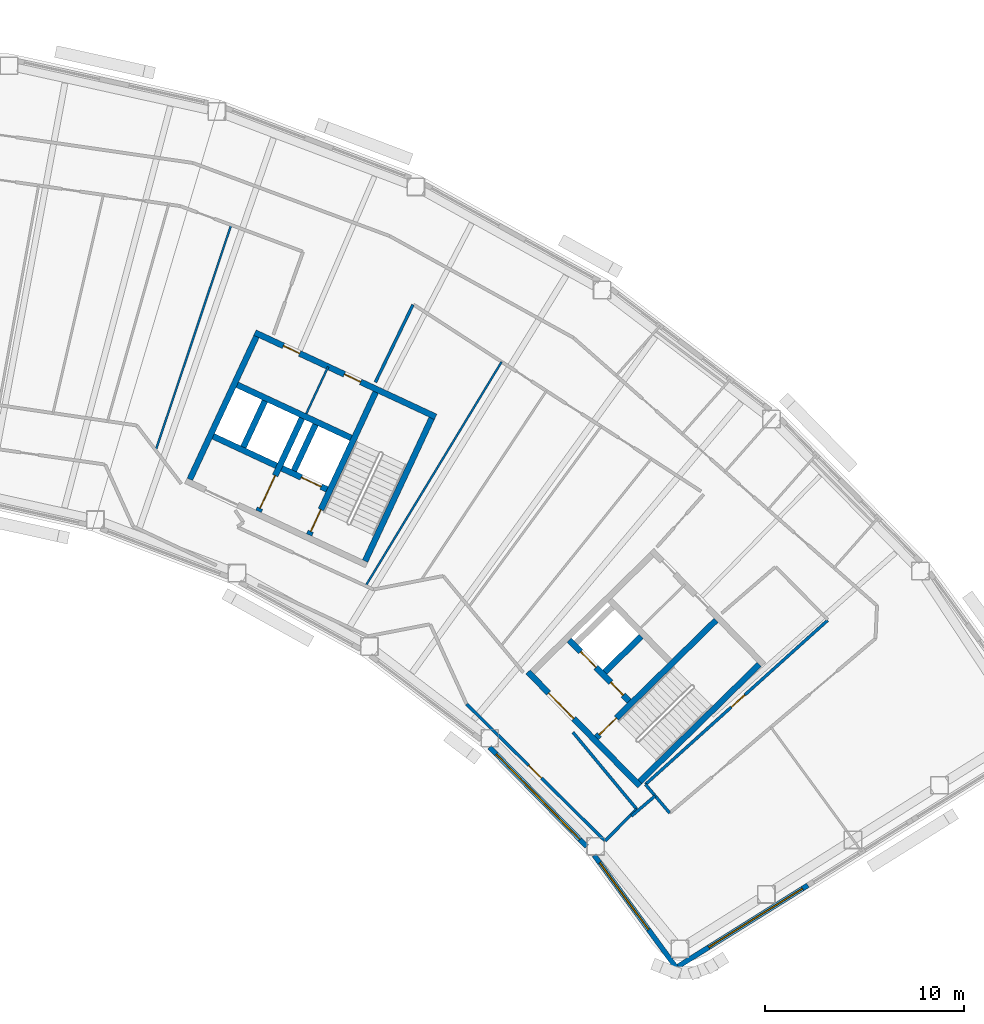
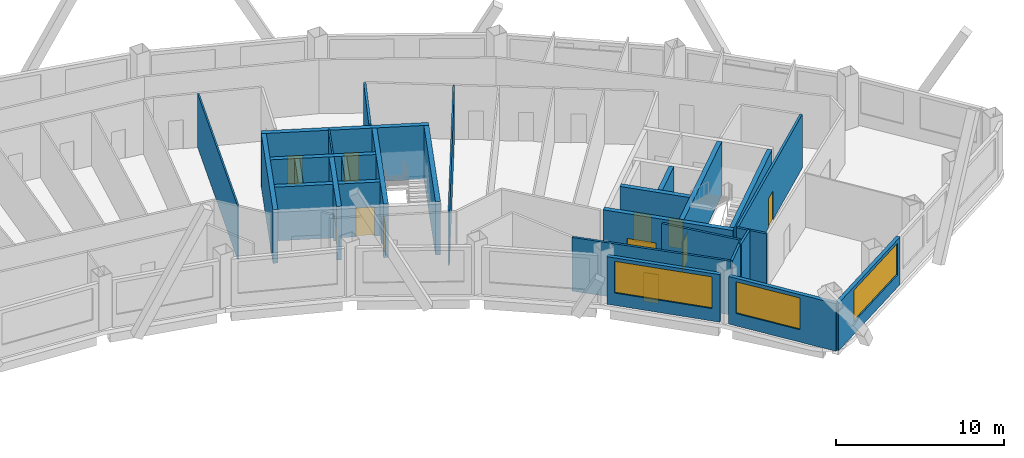
# One storey, part 9 of 15: 28 walls, 11 doors, 3 windows, 14 openings.
"""IFC4 building model written with IfcOpenShell, lengths in metres."""

from ifc_helpers import new_model, si_unit, direction, frame, frame_2d, origin, place, context, subcontext, project, spatial, rectangle, extrude, material, layer, layer_set, type_object, element, fill, save


model = new_model("IFC4")

# Units and contexts
model_context = context("Model", 3, precision=1e-05, world=origin(), true_north=direction((0.0, 1.0)))
body_context = subcontext(model_context, "Body", "Model", "MODEL_VIEW")
ifc_project = project(units=[si_unit("LENGTHUNIT", "METRE"), si_unit("AREAUNIT", "SQUARE_METRE"), si_unit("VOLUMEUNIT", "CUBIC_METRE"), si_unit("PLANEANGLEUNIT", "RADIAN"), si_unit("MASSUNIT", "GRAM", prefix="KILO")], contexts=[model_context])

# Site, building, storey
site_placement = place(None, origin())
site = spatial("IfcSite", under=ifc_project, at=site_placement, CompositionType="ELEMENT")
building_placement = place(site_placement, origin())
building = spatial("IfcBuilding", under=site, at=building_placement, Name="Tuul Gate Civic Tower", CompositionType="ELEMENT")
storey_placement = place(building_placement, frame((0.0, 0.0, 226.300048828125)))
storey = spatial("IfcBuildingStorey", under=building, at=storey_placement, Name="Level 51", CompositionType="ELEMENT", Elevation=226.300048828125)

# Wall, opening, door
ifc_material_1 = material(Name="Concrete C50/60", Category="concrete")
ifc_layer_1 = layer(ifc_material_1, 0.300048828125)
ifc_layer_set_1 = layer_set([ifc_layer_1], Name="Concrete C50/60")
wall_type_1 = type_object("IfcWallType", Name="Core wall C50/60", PredefinedType="SHEAR", material=ifc_layer_set_1)
wall_1_placement = place(storey_placement, frame((48.22509765625, -18.327880859375, 0.0), z_axis=(0.0, 0.0, 1.0), x_axis=(-0.700021979774, 0.714121297703, 0.0)))
wall_1 = element("IfcWall", 1, at=wall_1_placement, inside=storey, type_object=wall_type_1, Name="Core wall", PredefinedType="SHEAR", context=body_context, shape_type="SweptSolid", body=[
    extrude(rectangle(XDim=8.0, YDim=0.300048828125, at=frame_2d((4.0, 0.0))), origin(), (0.0, 0.0, 1.0), 3.89990234375),
])
opening_1_placement = place(wall_1_placement, frame((4.72509765625, 0.0, 0.0)))
opening_1 = element("IfcOpeningElement", 2, at=opening_1_placement, cuts=wall_1, Name="Opening LB-E1-LOBBY-1", PredefinedType="OPENING", context=body_context, shape_type="SweptSolid", body=[
    extrude(rectangle(XDim=1.800048828125, YDim=2.10009765625, at=frame_2d((0.89990234375, 1.050048828125))), frame((0.0, 0.16015625, 0.0), z_axis=(0.0, -1.0, 0.0), x_axis=(1.0, 0.0, 0.0)), (0.0, 0.0, 1.0), 0.320068359375),
])
ifc_material_2 = material(Name="Steel", Category="steel")
door_type_1 = type_object("IfcDoorType", Name="Lobby door", OperationType="DOUBLE_DOOR_SINGLE_SWING", PredefinedType="DOOR", material=ifc_material_2)
door_1_placement = place(opening_1_placement, frame((1.800048828125, 0.0, 0.0), z_axis=(0.0, 0.0, 1.0), x_axis=(-1.0, 0.0, 0.0)))
door_1 = element("IfcDoor", 3, at=door_1_placement, inside=storey, type_object=door_type_1, Name="Lobby door E1-LOBBY", OperationType="DOUBLE_DOOR_SINGLE_SWING", OverallHeight=2.10009765625, OverallWidth=1.800048828125, PredefinedType="DOOR", context=body_context, shape_type="SweptSolid", body=[
    extrude(rectangle(XDim=1.800048828125, YDim=2.10009765625, at=frame_2d((0.900146484375, 1.050048828125))), frame((0.0, 0.02490234375, 0.0), z_axis=(0.0, -1.0, 0.0), x_axis=(1.0, 0.0, 0.0)), (0.0, 0.0, 1.0), 0.050048828125),
])
fill(opening_1, door_1)

# Wall, openings, doors
wall_2_placement = place(storey_placement, frame((47.701904296875, -14.079833984375, 0.0), z_axis=(0.0, 0.0, 1.0), x_axis=(-0.700002721075, 0.714140175657, 0.0)))
wall_2 = element("IfcWall", 4, at=wall_2_placement, inside=storey, type_object=wall_type_1, Name="Core wall", PredefinedType="SHEAR", context=body_context, shape_type="SweptSolid", body=[
    extrude(rectangle(XDim=4.300048828125, YDim=0.300048828125, at=frame_2d((2.14990234375, 0.0))), origin(), (0.0, 0.0, 1.0), 3.89990234375),
])
opening_2_placement = place(wall_2_placement, frame((0.425048828125, 0.0, 0.0)))
opening_2 = element("IfcOpeningElement", 5, at=opening_2_placement, cuts=wall_2, Name="Opening FB-E1A1", PredefinedType="OPENING", context=body_context, shape_type="SweptSolid", body=[
    extrude(rectangle(XDim=0.89990234375, YDim=2.10009765625, at=frame_2d((0.449951171875, 1.050048828125))), frame((0.0, 0.16015625, 0.0), z_axis=(0.0, -1.0, 0.0), x_axis=(1.0, 0.0, 0.0)), (0.0, 0.0, 1.0), 0.320068359375),
])
opening_3_placement = place(wall_2_placement, frame((2.375, 0.0, 0.0)))
opening_3 = element("IfcOpeningElement", 6, at=opening_3_placement, cuts=wall_2, Name="Opening LD-M3", PredefinedType="OPENING", context=body_context, shape_type="SweptSolid", body=[
    extrude(rectangle(XDim=1.10009765625, YDim=2.10009765625, at=frame_2d((0.550048828125, 1.050048828125))), frame((0.0, 0.16015625, 0.0), z_axis=(0.0, -1.0, 0.0), x_axis=(1.0, 0.0, 0.0)), (0.0, 0.0, 1.0), 0.320068359375),
])
ifc_material_3 = material(Name="Stainless steel", Category="steel")
door_type_2 = type_object("IfcDoorType", Name="Landing door", OperationType="DOUBLE_DOOR_SLIDING", PredefinedType="DOOR", material=ifc_material_3)
door_2_placement = place(opening_3_placement, origin())
door_2 = element("IfcDoor", 7, at=door_2_placement, inside=storey, type_object=door_type_2, Name="Mid-rise lift M3 landing door", OperationType="DOUBLE_DOOR_SLIDING", OverallHeight=2.10009765625, OverallWidth=1.10009765625, PredefinedType="DOOR", context=body_context, shape_type="SweptSolid", body=[
    extrude(rectangle(XDim=1.10009765625, YDim=2.10009765625, at=frame_2d((0.550048828125, 1.050048828125))), frame((0.0, 0.02490234375, 0.0), z_axis=(0.0, -1.0, 0.0), x_axis=(1.0, 0.0, 0.0)), (0.0, 0.0, 1.0), 0.050048828125),
])
fill(opening_3, door_2)
ifc_material_4 = material(Name="Steel", Category="steel")
door_type_3 = type_object("IfcDoorType", Name="Store door", OperationType="NOTDEFINED", PredefinedType="DOOR", material=ifc_material_4)
door_3_placement = place(opening_2_placement, frame((0.89990234375, 0.0, 0.0), z_axis=(0.0, 0.0, 1.0), x_axis=(-1.0, 0.0, 0.0)))
door_3 = element("IfcDoor", 8, at=door_3_placement, inside=storey, type_object=door_type_3, Name="Store door E1A1", OperationType="SINGLE_SWING_RIGHT", OverallHeight=2.10009765625, OverallWidth=0.89990234375, PredefinedType="DOOR", context=body_context, shape_type="SweptSolid", body=[
    extrude(rectangle(XDim=0.89990234375, YDim=2.10009765625, at=frame_2d((0.449951171875, 1.050048828125))), frame((0.0, 0.02490234375, 0.0), z_axis=(0.0, -1.0, 0.0), x_axis=(1.0, 0.0, 0.0)), (0.0, 0.0, 1.0), 0.050048828125),
])
fill(opening_2, door_3)

# Wall
wall_3_placement = place(storey_placement, frame((48.227294921875, -18.115966796875, 0.0), z_axis=(0.0, 0.0, 1.0), x_axis=(0.714105315431, 0.700038283577, 0.0)))
element("IfcWall", 9, at=wall_3_placement, inside=storey, type_object=wall_type_1, Name="Core wall", PredefinedType="SHEAR", context=body_context, shape_type="SweptSolid", body=[
    extrude(rectangle(XDim=8.400146484375, YDim=0.300048828125, at=frame_2d((4.2001953125, 0.0))), origin(), (0.0, 0.0, 1.0), 3.89990234375),
])

# Wall, opening, door
wall_4_placement = place(storey_placement, frame((46.05712890625, -15.902099609375, 0.0), z_axis=(0.0, 0.0, 1.0), x_axis=(0.714134086973, 0.700008932674, 0.0)))
wall_4 = element("IfcWall", 10, at=wall_4_placement, inside=storey, type_object=wall_type_1, Name="Core wall", PredefinedType="SHEAR", context=body_context, shape_type="SweptSolid", body=[
    extrude(rectangle(XDim=8.400146484375, YDim=0.300048828125, at=frame_2d((4.2001953125, 0.0))), origin(), (0.0, 0.0, 1.0), 3.89990234375),
])
opening_4_placement = place(wall_4_placement, frame((0.199951171875, 0.0, 0.0)))
opening_4 = element("IfcOpeningElement", 11, at=opening_4_placement, cuts=wall_4, Name="Opening SD-ST-3", PredefinedType="OPENING", context=body_context, shape_type="SweptSolid", body=[
    extrude(rectangle(XDim=1.199951171875, YDim=2.10009765625, at=frame_2d((0.60009765625, 1.050048828125))), frame((0.0, 0.16015625, 0.0), z_axis=(0.0, -1.0, 0.0), x_axis=(1.0, 0.0, 0.0)), (0.0, 0.0, 1.0), 0.320068359375),
])
ifc_material_5 = material(Name="Steel", Category="steel")
door_type_4 = type_object("IfcDoorType", Name="Stair door", OperationType="NOTDEFINED", PredefinedType="DOOR", material=ifc_material_5)
door_4_placement = place(opening_4_placement, origin())
door_4 = element("IfcDoor", 12, at=door_4_placement, inside=storey, type_object=door_type_4, Name="Stair door ST-3", OperationType="SINGLE_SWING_LEFT", OverallHeight=2.10009765625, OverallWidth=1.199951171875, PredefinedType="DOOR", context=body_context, shape_type="SweptSolid", body=[
    extrude(rectangle(XDim=1.199951171875, YDim=2.10009765625, at=frame_2d((0.60009765625, 1.050048828125))), frame((0.0, 0.02490234375, 0.0), z_axis=(0.0, -1.0, 0.0), x_axis=(1.0, 0.0, 0.0)), (0.0, 0.0, 1.0), 0.050048828125),
])
fill(opening_4, door_4)

# Wall
wall_5_placement = place(storey_placement, frame((46.47900390625, -12.617919921875, 0.0), z_axis=(0.0, 0.0, 1.0), x_axis=(0.71410944159, 0.700034074479, 0.0)))
element("IfcWall", 13, at=wall_5_placement, inside=storey, type_object=wall_type_1, Name="Core wall", PredefinedType="SHEAR", context=body_context, shape_type="SweptSolid", body=[
    extrude(rectangle(XDim=2.5498046875, YDim=0.300048828125, at=frame_2d((1.27490234375, 0.0))), origin(), (0.0, 0.0, 1.0), 3.89990234375),
])

# Wall, opening, door
wall_6_placement = place(storey_placement, frame((32.545654296875, -3.456787109375, 0.0), z_axis=(0.0, 0.0, 1.0), x_axis=(-0.906300357825, 0.42263419337, 0.0)))
wall_6 = element("IfcWall", 14, at=wall_6_placement, inside=storey, type_object=wall_type_1, Name="Core wall", PredefinedType="SHEAR", context=body_context, shape_type="SweptSolid", body=[
    extrude(rectangle(XDim=2.500244140625, YDim=0.300048828125, at=frame_2d((1.25, 0.0))), origin(), (0.0, 0.0, 1.0), 3.89990234375),
])
opening_5_placement = place(wall_6_placement, frame((0.324951171875, 0.0, 0.0)))
opening_5 = element("IfcOpeningElement", 15, at=opening_5_placement, cuts=wall_6, Name="Opening LD-FF-2", PredefinedType="OPENING", context=body_context, shape_type="SweptSolid", body=[
    extrude(rectangle(XDim=1.10009765625, YDim=2.10009765625, at=frame_2d((0.550048828125, 1.050048828125))), frame((0.0, 0.16015625, 0.0), z_axis=(0.0, -1.0, 0.0), x_axis=(1.0, 0.0, 0.0)), (0.0, 0.0, 1.0), 0.320068359375),
])
door_5_placement = place(opening_5_placement, origin())
door_5 = element("IfcDoor", 16, at=door_5_placement, inside=storey, type_object=door_type_2, Name="Fire-fighting lift FF-2 landing door", OperationType="DOUBLE_DOOR_SLIDING", OverallHeight=2.10009765625, OverallWidth=1.10009765625, PredefinedType="DOOR", context=body_context, shape_type="SweptSolid", body=[
    extrude(rectangle(XDim=1.10009765625, YDim=2.10009765625, at=frame_2d((0.550048828125, 1.050048828125))), frame((0.0, 0.02490234375, 0.0), z_axis=(0.0, -1.0, 0.0), x_axis=(1.0, 0.0, 0.0)), (0.0, 0.0, 1.0), 0.050048828125),
])
fill(opening_5, door_5)

# Walls
wall_7_placement = place(storey_placement, frame((30.0078125, -2.2734375, 0.0), z_axis=(0.0, 0.0, 1.0), x_axis=(-0.90630071767, 0.422633421716, 0.0)))
element("IfcWall", 17, at=wall_7_placement, inside=storey, type_object=wall_type_1, Name="Core wall", PredefinedType="SHEAR", context=body_context, shape_type="SweptSolid", body=[
    extrude(rectangle(XDim=3.5, YDim=0.300048828125, at=frame_2d((1.75, 0.0))), origin(), (0.0, 0.0, 1.0), 3.89990234375),
])
wall_8_placement = place(storey_placement, frame((33.75, -0.873779296875, 0.0), z_axis=(0.0, 0.0, 1.0), x_axis=(-0.906300917592, 0.422632992999, 0.0)))
element("IfcWall", 18, at=wall_8_placement, inside=storey, type_object=wall_type_1, Name="Core wall", PredefinedType="SHEAR", context=body_context, shape_type="SweptSolid", body=[
    extrude(rectangle(XDim=6.300048828125, YDim=0.300048828125, at=frame_2d((3.14990234375, 0.0))), origin(), (0.0, 0.0, 1.0), 3.89990234375),
])

# Wall, openings, doors
wall_9_placement = place(storey_placement, frame((37.993408203125, 0.181884765625, 0.0), z_axis=(0.0, 0.0, 1.0), x_axis=(-0.906310338845, 0.422612789327, 0.0)))
wall_9 = element("IfcWall", 19, at=wall_9_placement, inside=storey, type_object=wall_type_1, Name="Core wall", PredefinedType="SHEAR", context=body_context, shape_type="SweptSolid", body=[
    extrude(rectangle(XDim=9.999755859375, YDim=0.300048828125, at=frame_2d((5.0, 0.0))), origin(), (0.0, 0.0, 1.0), 3.89990234375),
])
opening_6_placement = place(wall_9_placement, frame((4.14990234375, 0.0, 0.0)))
opening_6 = element("IfcOpeningElement", 20, at=opening_6_placement, cuts=wall_9, Name="Opening R-D47", PredefinedType="OPENING", context=body_context, shape_type="SweptSolid", body=[
    extrude(rectangle(XDim=0.89990234375, YDim=2.10009765625, at=frame_2d((0.449951171875, 1.050048828125))), frame((0.0, 0.16015625, 0.0), z_axis=(0.0, -1.0, 0.0), x_axis=(1.0, 0.0, 0.0)), (0.0, 0.0, 1.0), 0.320068359375),
])
opening_7_placement = place(wall_9_placement, frame((7.52490234375, 0.0, 0.0)))
opening_7 = element("IfcOpeningElement", 21, at=opening_7_placement, cuts=wall_9, Name="Opening R-D48", PredefinedType="OPENING", context=body_context, shape_type="SweptSolid", body=[
    extrude(rectangle(XDim=0.89990234375, YDim=2.10009765625, at=frame_2d((0.449951171875, 1.050048828125))), frame((0.0, 0.16015625, 0.0), z_axis=(0.0, -1.0, 0.0), x_axis=(1.0, 0.0, 0.0)), (0.0, 0.0, 1.0), 0.320068359375),
])
ifc_material_6 = material(Name="Timber door leaf", Category="wood")
door_type_5 = type_object("IfcDoorType", Name="Door D09", OperationType="NOTDEFINED", PredefinedType="DOOR", material=ifc_material_6)
door_6_placement = place(opening_6_placement, origin())
door_6 = element("IfcDoor", 22, at=door_6_placement, inside=storey, type_object=door_type_5, Name="Door R-D47", OperationType="SINGLE_SWING_LEFT", OverallHeight=2.10009765625, OverallWidth=0.89990234375, PredefinedType="DOOR", context=body_context, shape_type="SweptSolid", body=[
    extrude(rectangle(XDim=0.89990234375, YDim=2.10009765625, at=frame_2d((0.449951171875, 1.050048828125))), frame((0.0, 0.02490234375, 0.0), z_axis=(0.0, -1.0, 0.0), x_axis=(1.0, 0.0, 0.0)), (0.0, 0.0, 1.0), 0.050048828125),
])
fill(opening_6, door_6)
door_7_placement = place(opening_7_placement, origin())
door_7 = element("IfcDoor", 23, at=door_7_placement, inside=storey, type_object=door_type_5, Name="Door R-D48", OperationType="SINGLE_SWING_RIGHT", OverallHeight=2.10009765625, OverallWidth=0.89990234375, PredefinedType="DOOR", context=body_context, shape_type="SweptSolid", body=[
    extrude(rectangle(XDim=0.89990234375, YDim=2.10009765625, at=frame_2d((0.449951171875, 1.050048828125))), frame((0.0, 0.02490234375, 0.0), z_axis=(0.0, -1.0, 0.0), x_axis=(1.0, 0.0, 0.0)), (0.0, 0.0, 1.0), 0.050048828125),
])
fill(opening_7, door_7)

# Wall
wall_10_placement = place(storey_placement, frame((34.455810546875, -7.05078125, 0.0), z_axis=(0.0, 0.0, 1.0), x_axis=(0.422570768258, 0.906329932096, 0.0)))
element("IfcWall", 24, at=wall_10_placement, inside=storey, type_object=wall_type_1, Name="Core wall", PredefinedType="SHEAR", context=body_context, shape_type="SweptSolid", body=[
    extrude(rectangle(XDim=7.900146484375, YDim=0.300048828125, at=frame_2d((3.9501953125, 0.0))), origin(), (0.0, 0.0, 1.0), 3.89990234375),
])

# Wall, opening, door
wall_11_placement = place(storey_placement, frame((31.646240234375, -5.740478515625, 0.0), z_axis=(0.0, 0.0, 1.0), x_axis=(0.422582604137, 0.906324413596, 0.0)))
wall_11 = element("IfcWall", 25, at=wall_11_placement, inside=storey, type_object=wall_type_1, Name="Core wall", PredefinedType="SHEAR", context=body_context, shape_type="SweptSolid", body=[
    extrude(rectangle(XDim=7.89990234375, YDim=0.300048828125, at=frame_2d((3.949951171875, 0.0))), origin(), (0.0, 0.0, 1.0), 3.89990234375),
])
opening_8_placement = place(wall_11_placement, frame((0.199951171875, 0.0, 0.0)))
opening_8 = element("IfcOpeningElement", 26, at=opening_8_placement, cuts=wall_11, Name="Opening SD-ST-4", PredefinedType="OPENING", context=body_context, shape_type="SweptSolid", body=[
    extrude(rectangle(XDim=1.199951171875, YDim=2.10009765625, at=frame_2d((0.60009765625, 1.050048828125))), frame((0.0, 0.16015625, 0.0), z_axis=(0.0, -1.0, 0.0), x_axis=(1.0, 0.0, 0.0)), (0.0, 0.0, 1.0), 0.320068359375),
])
door_8_placement = place(opening_8_placement, origin())
door_8 = element("IfcDoor", 27, at=door_8_placement, inside=storey, type_object=door_type_4, Name="Stair door ST-4", OperationType="SINGLE_SWING_LEFT", OverallHeight=2.10009765625, OverallWidth=1.199951171875, PredefinedType="DOOR", context=body_context, shape_type="SweptSolid", body=[
    extrude(rectangle(XDim=1.199951171875, YDim=2.10009765625, at=frame_2d((0.60009765625, 1.050048828125))), frame((0.0, 0.02490234375, 0.0), z_axis=(0.0, -1.0, 0.0), x_axis=(1.0, 0.0, 0.0)), (0.0, 0.0, 1.0), 0.050048828125),
])
fill(opening_8, door_8)

# Wall
wall_12_placement = place(storey_placement, frame((30.886962890625, -2.517822265625, 0.0), z_axis=(0.0, 0.0, 1.0), x_axis=(0.422612891016, 0.906310291427, 0.0)))
element("IfcWall", 28, at=wall_12_placement, inside=storey, type_object=wall_type_1, Name="Core wall", PredefinedType="SHEAR", context=body_context, shape_type="SweptSolid", body=[
    extrude(rectangle(XDim=2.550048828125, YDim=0.300048828125, at=frame_2d((1.27490234375, 0.0))), origin(), (0.0, 0.0, 1.0), 3.89990234375),
])

# Wall, opening, door
wall_13_placement = place(storey_placement, frame((29.108642578125, -4.557373046875, 0.0), z_axis=(0.0, 0.0, 1.0), x_axis=(0.422566235356, 0.90633204552, 0.0)))
wall_13 = element("IfcWall", 29, at=wall_13_placement, inside=storey, type_object=wall_type_1, Name="Core wall", PredefinedType="SHEAR", context=body_context, shape_type="SweptSolid", body=[
    extrude(rectangle(XDim=5.150146484375, YDim=0.300048828125, at=frame_2d((2.5751953125, 0.0))), origin(), (0.0, 0.0, 1.0), 3.89990234375),
])
opening_9_placement = place(wall_13_placement, frame((0.175048828125, 0.0, 0.0)))
opening_9 = element("IfcOpeningElement", 30, at=opening_9_placement, cuts=wall_13, Name="Opening LB-E3-FLOBBY-1", PredefinedType="OPENING", context=body_context, shape_type="SweptSolid", body=[
    extrude(rectangle(XDim=1.800048828125, YDim=2.10009765625, at=frame_2d((0.89990234375, 1.050048828125))), frame((0.0, 0.16015625, 0.0), z_axis=(0.0, -1.0, 0.0), x_axis=(1.0, 0.0, 0.0)), (0.0, 0.0, 1.0), 0.320068359375),
])
door_9_placement = place(opening_9_placement, frame((1.800048828125, 0.0, 0.0), z_axis=(0.0, 0.0, 1.0), x_axis=(-1.0, 0.0, 0.0)))
door_9 = element("IfcDoor", 31, at=door_9_placement, inside=storey, type_object=door_type_1, Name="Lobby door E3-FLOBBY", OperationType="DOUBLE_DOOR_SINGLE_SWING", OverallHeight=2.10009765625, OverallWidth=1.800048828125, PredefinedType="DOOR", context=body_context, shape_type="SweptSolid", body=[
    extrude(rectangle(XDim=1.800048828125, YDim=2.10009765625, at=frame_2d((0.900146484375, 1.050048828125))), frame((0.0, 0.02490234375, 0.0), z_axis=(0.0, -1.0, 0.0), x_axis=(1.0, 0.0, 0.0)), (0.0, 0.0, 1.0), 0.050048828125),
])
fill(opening_9, door_9)

# Walls
wall_14_placement = place(storey_placement, frame((28.349365234375, -1.33447265625, 0.0), z_axis=(0.0, 0.0, 1.0), x_axis=(0.422612891016, 0.906310291427, 0.0)))
element("IfcWall", 32, at=wall_14_placement, inside=storey, type_object=wall_type_1, Name="Core wall", PredefinedType="SHEAR", context=body_context, shape_type="SweptSolid", body=[
    extrude(rectangle(XDim=2.550048828125, YDim=0.300048828125, at=frame_2d((1.27490234375, 0.0))), origin(), (0.0, 0.0, 1.0), 3.89990234375),
])
wall_15_placement = place(storey_placement, frame((25.66455078125, -2.951416015625, 0.0), z_axis=(0.0, 0.0, 1.0), x_axis=(0.422582604137, 0.906324413596, 0.0)))
element("IfcWall", 33, at=wall_15_placement, inside=storey, type_object=wall_type_1, Name="Core wall", PredefinedType="SHEAR", context=body_context, shape_type="SweptSolid", body=[
    extrude(rectangle(XDim=7.89990234375, YDim=0.300048828125, at=frame_2d((3.949951171875, 0.0))), origin(), (0.0, 0.0, 1.0), 3.89990234375),
])

# Wall, opening, door
ifc_material_7 = material(Name="Gypsum board partition")
ifc_layer_2 = layer(ifc_material_7, 0.14990234375)
ifc_layer_set_2 = layer_set([ifc_layer_2], Name="Gypsum board partition")
wall_type_2 = type_object("IfcWallType", Name="Corridor wall P150", PredefinedType="PARTITIONING", material=ifc_layer_set_2)
wall_16_placement = place(storey_placement, frame((39.54248046875, -14.2216796875, 0.0), z_axis=(0.0, 0.0, 1.0), x_axis=(0.711267663184, -0.702921269638, 0.0)))
wall_16 = element("IfcWall", 34, at=wall_16_placement, inside=storey, type_object=wall_type_2, Name="p031", PredefinedType="PARTITIONING", context=body_context, shape_type="SweptSolid", body=[
    extrude(rectangle(XDim=9.769775390625, YDim=0.14990234375, at=frame_2d((4.884765625, 0.0))), origin(), (0.0, 0.0, 1.0), 3.89990234375),
])
opening_10_placement = place(wall_16_placement, frame((4.385498046875, 0.0, 0.0)))
opening_10 = element("IfcOpeningElement", 35, at=opening_10_placement, cuts=wall_16, Name="Opening R-D07", PredefinedType="OPENING", context=body_context, shape_type="SweptSolid", body=[
    extrude(rectangle(XDim=0.89990234375, YDim=2.10009765625, at=frame_2d((0.449951171875, 1.050048828125))), frame((0.0, 0.0849609375, 0.0), z_axis=(0.0, -1.0, 0.0), x_axis=(1.0, 0.0, 0.0)), (0.0, 0.0, 1.0), 0.169921875),
])
door_10_placement = place(opening_10_placement, origin())
door_10 = element("IfcDoor", 36, at=door_10_placement, inside=storey, type_object=door_type_5, Name="Door R-D07", OperationType="SINGLE_SWING_RIGHT", OverallHeight=2.10009765625, OverallWidth=0.89990234375, PredefinedType="DOOR", context=body_context, shape_type="SweptSolid", body=[
    extrude(rectangle(XDim=0.89990234375, YDim=2.10009765625, at=frame_2d((0.449951171875, 1.050048828125))), frame((0.0, 0.02490234375, 0.0), z_axis=(0.0, -1.0, 0.0), x_axis=(1.0, 0.0, 0.0)), (0.0, 0.0, 1.0), 0.050048828125),
])
fill(opening_10, door_10)

# Walls
wall_17_placement = place(storey_placement, frame((47.816650390625, -19.8369140625, 0.0), z_axis=(0.0, 0.0, 1.0), x_axis=(0.762844443922, 0.64658205541, 0.0)))
element("IfcWall", 37, at=wall_17_placement, inside=storey, type_object=wall_type_2, Name="p032", PredefinedType="PARTITIONING", context=body_context, shape_type="SweptSolid", body=[
    extrude(rectangle(XDim=1.55615234375, YDim=0.14990234375, at=frame_2d((0.778076171875, 0.0))), origin(), (0.0, 0.0, 1.0), 3.89990234375),
])
wall_18_placement = place(storey_placement, frame((46.492431640625, -21.089111328125, 0.0), z_axis=(0.0, 0.0, 1.0), x_axis=(0.702914289472, 0.711274561373, 0.0)))
element("IfcWall", 38, at=wall_18_placement, inside=storey, type_object=wall_type_2, Name="p041", PredefinedType="PARTITIONING", context=body_context, shape_type="SweptSolid", body=[
    extrude(rectangle(XDim=2.24853515625, YDim=0.14990234375, at=frame_2d((1.124267578125, 0.0))), origin(), (0.0, 0.0, 1.0), 3.89990234375),
])
wall_19_placement = place(storey_placement, frame((44.879150390625, -15.640625, 0.0), z_axis=(0.0, 0.0, 1.0), x_axis=(0.638680118875, -0.769472355419, 0.0)))
element("IfcWall", 39, at=wall_19_placement, inside=storey, type_object=wall_type_2, Name="p043", PredefinedType="PARTITIONING", context=body_context, shape_type="SweptSolid", body=[
    extrude(rectangle(XDim=5.000732421875, YDim=0.14990234375, at=frame_2d((2.50048828125, 0.0))), origin(), (0.0, 0.0, 1.0), 3.89990234375),
])

# Wall, opening, door
wall_20_placement = place(storey_placement, frame((48.515380859375, -18.253662109375, 0.0), z_axis=(0.0, 0.0, 1.0), x_axis=(0.743122459302, 0.669155445678, 0.0)))
wall_20 = element("IfcWall", 40, at=wall_20_placement, inside=storey, type_object=wall_type_2, Name="p047", PredefinedType="PARTITIONING", context=body_context, shape_type="SweptSolid", body=[
    extrude(rectangle(XDim=12.304931640625, YDim=0.14990234375, at=frame_2d((6.15234375, 0.0))), origin(), (0.0, 0.0, 1.0), 3.89990234375),
])
opening_11_placement = place(wall_20_placement, frame((5.802001953125, 0.0, 0.0)))
opening_11 = element("IfcOpeningElement", 41, at=opening_11_placement, cuts=wall_20, Name="Opening R-D11", PredefinedType="OPENING", context=body_context, shape_type="SweptSolid", body=[
    extrude(rectangle(XDim=0.89990234375, YDim=2.10009765625, at=frame_2d((0.449951171875, 1.050048828125))), frame((0.0, 0.0849609375, 0.0), z_axis=(0.0, -1.0, 0.0), x_axis=(1.0, 0.0, 0.0)), (0.0, 0.0, 1.0), 0.169921875),
])
door_11_placement = place(opening_11_placement, frame((0.89990234375, 0.0, 0.0), z_axis=(0.0, 0.0, 1.0), x_axis=(-1.0, 0.0, 0.0)))
door_11 = element("IfcDoor", 42, at=door_11_placement, inside=storey, type_object=door_type_5, Name="Door R-D11", OperationType="SINGLE_SWING_LEFT", OverallHeight=2.10009765625, OverallWidth=0.89990234375, PredefinedType="DOOR", context=body_context, shape_type="SweptSolid", body=[
    extrude(rectangle(XDim=0.89990234375, YDim=2.10009765625, at=frame_2d((0.449951171875, 1.050048828125))), frame((0.0, 0.02490234375, 0.0), z_axis=(0.0, -1.0, 0.0), x_axis=(1.0, 0.0, 0.0)), (0.0, 0.0, 1.0), 0.050048828125),
])
fill(opening_11, door_11)

# Walls
wall_21_placement = place(storey_placement, frame((48.515380859375, -18.254638671875, 0.0), z_axis=(0.0, 0.0, 1.0), x_axis=(0.646576799747, -0.762848898556, 0.0)))
element("IfcWall", 43, at=wall_21_placement, inside=storey, type_object=wall_type_2, Name="p048", PredefinedType="PARTITIONING", context=body_context, shape_type="SweptSolid", body=[
    extrude(rectangle(XDim=1.879150390625, YDim=0.14990234375, at=frame_2d((0.939453125, 0.0))), origin(), (0.0, 0.0, 1.0), 3.89990234375),
])
wall_22_placement = place(storey_placement, frame((34.973388671875, 1.922119140625, 0.0), z_axis=(0.0, 0.0, 1.0), x_axis=(0.436176291331, 0.899861235347, 0.0)))
element("IfcWall", 44, at=wall_22_placement, inside=storey, type_object=wall_type_2, Name="p059", PredefinedType="PARTITIONING", context=body_context, shape_type="SweptSolid", body=[
    extrude(rectangle(XDim=4.313232421875, YDim=0.14990234375, at=frame_2d((2.15673828125, 0.0))), origin(), (0.0, 0.0, 1.0), 3.89990234375),
])

# Wall, opening, window
ifc_material_8 = material(Name="Precast concrete C40/50", Category="concrete")
ifc_layer_3 = layer(ifc_material_8, 0.25)
ifc_layer_set_3 = layer_set([ifc_layer_3], Name="Precast concrete C40/50")
wall_type_3 = type_object("IfcWallType", Name="External wall", PredefinedType="STANDARD", material=ifc_layer_set_3)
wall_23_placement = place(storey_placement, frame((40.69287109375, -16.387939453125, 0.0), z_axis=(0.0, 0.0, 1.0), x_axis=(0.700029726531, -0.714113703813, 0.0)))
wall_23 = element("IfcWall", 45, at=wall_23_placement, inside=storey, type_object=wall_type_3, Name="External wall", PredefinedType="STANDARD", context=body_context, shape_type="SweptSolid", body=[
    extrude(rectangle(XDim=6.968505859375, YDim=0.25, at=frame_2d((3.484375, 0.0))), origin(), (0.0, 0.0, 1.0), 3.449951171875),
])
opening_12_placement = place(wall_23_placement, frame((0.484130859375, 0.0, 0.89990234375)))
opening_12 = element("IfcOpeningElement", 46, at=opening_12_placement, cuts=wall_23, Name="Opening W26", PredefinedType="OPENING", context=body_context, shape_type="SweptSolid", body=[
    extrude(rectangle(XDim=6.0, YDim=2.300048828125, at=frame_2d((3.0, 1.14990234375))), frame((0.0, 0.135009765625, 0.0), z_axis=(0.0, -1.0, 0.0), x_axis=(1.0, 0.0, 0.0)), (0.0, 0.0, 1.0), 0.27001953125),
])
ifc_material_9 = material(Name="Glass", Category="glass")
window_type_1 = type_object("IfcWindowType", Name="Window W26 6000 x 2300", PartitioningType="SINGLE_PANEL", PredefinedType="WINDOW", material=ifc_material_9)
window_1_placement = place(opening_12_placement, origin())
window_1 = element("IfcWindow", 47, at=window_1_placement, inside=storey, type_object=window_type_1, Name="Window", OverallHeight=2.300048828125, OverallWidth=6.0, PartitioningType="SINGLE_PANEL", PredefinedType="WINDOW", context=body_context, shape_type="SweptSolid", body=[
    extrude(rectangle(XDim=6.0, YDim=2.300048828125, at=frame_2d((3.0, 1.14990234375))), frame((0.0, 0.030029296875, 0.0), z_axis=(0.0, -1.0, 0.0), x_axis=(1.0, 0.0, 0.0)), (0.0, 0.0, 1.0), 0.06005859375),
])
fill(opening_12, window_1)

wall_24_placement = place(storey_placement, frame((45.947265625, -21.80908203125, 0.0), z_axis=(0.0, 0.0, 1.0), x_axis=(0.589742622716, -0.807591257353, 0.0)))
wall_24 = element("IfcWall", 48, at=wall_24_placement, inside=storey, type_object=wall_type_3, Name="External wall", PredefinedType="STANDARD", context=body_context, shape_type="SweptSolid", body=[
    extrude(rectangle(XDim=6.971923828125, YDim=0.25, at=frame_2d((3.48583984375, 0.0))), origin(), (0.0, 0.0, 1.0), 3.449951171875),
])
opening_13_placement = place(wall_24_placement, frame((0.465576171875, 0.0, 0.89990234375)))
opening_13 = element("IfcOpeningElement", 49, at=opening_13_placement, cuts=wall_24, Name="Opening W25", PredefinedType="OPENING", context=body_context, shape_type="SweptSolid", body=[
    extrude(rectangle(XDim=4.14990234375, YDim=2.300048828125, at=frame_2d((2.074951171875, 1.14990234375))), frame((0.0, 0.135009765625, 0.0), z_axis=(0.0, -1.0, 0.0), x_axis=(1.0, 0.0, 0.0)), (0.0, 0.0, 1.0), 0.27001953125),
])
ifc_material_10 = material(Name="Glass", Category="glass")
window_type_2 = type_object("IfcWindowType", Name="Window W25 4150 x 2300", PartitioningType="SINGLE_PANEL", PredefinedType="WINDOW", material=ifc_material_10)
window_2_placement = place(opening_13_placement, origin())
window_2 = element("IfcWindow", 50, at=window_2_placement, inside=storey, type_object=window_type_2, Name="Window", OverallHeight=2.300048828125, OverallWidth=4.14990234375, PartitioningType="SINGLE_PANEL", PredefinedType="WINDOW", context=body_context, shape_type="SweptSolid", body=[
    extrude(rectangle(XDim=4.14990234375, YDim=2.300048828125, at=frame_2d((2.074951171875, 1.14990234375))), frame((0.0, 0.030029296875, 0.0), z_axis=(0.0, -1.0, 0.0), x_axis=(1.0, 0.0, 0.0)), (0.0, 0.0, 1.0), 0.06005859375),
])
fill(opening_13, window_2)

wall_25_placement = place(storey_placement, frame((50.058837890625, -27.439453125, 0.0), z_axis=(0.0, 0.0, 1.0), x_axis=(0.848052898081, 0.529911579471, 0.0)))
wall_25 = element("IfcWall", 51, at=wall_25_placement, inside=storey, type_object=wall_type_3, Name="External wall", PredefinedType="STANDARD", context=body_context, shape_type="SweptSolid", body=[
    extrude(rectangle(XDim=7.78759765625, YDim=0.25, at=frame_2d((3.893798828125, 0.0))), origin(), (0.0, 0.0, 1.0), 3.449951171875),
])
opening_14_placement = place(wall_25_placement, frame((1.92138671875, 0.0, 0.89990234375)))
opening_14 = element("IfcOpeningElement", 52, at=opening_14_placement, cuts=wall_25, Name="Opening W24", PredefinedType="OPENING", context=body_context, shape_type="SweptSolid", body=[
    extrude(rectangle(XDim=5.550048828125, YDim=2.300048828125, at=frame_2d((2.77490234375, 1.14990234375))), frame((0.0, 0.135009765625, 0.0), z_axis=(0.0, -1.0, 0.0), x_axis=(1.0, 0.0, 0.0)), (0.0, 0.0, 1.0), 0.27001953125),
])
ifc_material_11 = material(Name="Glass", Category="glass")
window_type_3 = type_object("IfcWindowType", Name="Window W24 5550 x 2300", PartitioningType="SINGLE_PANEL", PredefinedType="WINDOW", material=ifc_material_11)
window_3_placement = place(opening_14_placement, origin())
window_3 = element("IfcWindow", 53, at=window_3_placement, inside=storey, type_object=window_type_3, Name="Window", OverallHeight=2.300048828125, OverallWidth=5.550048828125, PartitioningType="SINGLE_PANEL", PredefinedType="WINDOW", context=body_context, shape_type="SweptSolid", body=[
    extrude(rectangle(XDim=5.550048828125, YDim=2.300048828125, at=frame_2d((2.77490234375, 1.14990234375))), frame((0.0, 0.030029296875, 0.0), z_axis=(0.0, -1.0, 0.0), x_axis=(1.0, 0.0, 0.0)), (0.0, 0.0, 1.0), 0.06005859375),
])
fill(opening_14, window_3)

# Walls
ifc_material_12 = material(Name="Gypsum board partition")
ifc_layer_4 = layer(ifc_material_12, 0.10009765625)
ifc_layer_set_4 = layer_set([ifc_layer_4], Name="Gypsum board partition")
wall_type_4 = type_object("IfcWallType", Name="Partition P100", PredefinedType="PARTITIONING", material=ifc_layer_set_4)
wall_26_placement = place(storey_placement, frame((34.482421875, -8.29638671875, 0.0), z_axis=(0.0, 0.0, 1.0), x_axis=(0.518760535459, 0.854919590868, 0.0)))
element("IfcWall", 54, at=wall_26_placement, inside=storey, type_object=wall_type_4, Name="p055", PredefinedType="PARTITIONING", context=body_context, shape_type="SweptSolid", body=[
    extrude(rectangle(XDim=13.14697265625, YDim=0.10009765625, at=frame_2d((6.573486328125, 0.0))), origin(), (0.0, 0.0, 1.0), 3.89990234375),
])
wall_27_placement = place(storey_placement, frame((23.953125, -1.496337890625, 0.0), z_axis=(0.0, 0.0, 1.0), x_axis=(0.317321414406, 0.948318047893, 0.0)))
element("IfcWall", 55, at=wall_27_placement, inside=storey, type_object=wall_type_4, Name="p060", PredefinedType="PARTITIONING", context=body_context, shape_type="SweptSolid", body=[
    extrude(rectangle(XDim=11.91845703125, YDim=0.10009765625, at=frame_2d((5.959228515625, 0.0))), origin(), (0.0, 0.0, 1.0), 3.89990234375),
])
wall_28_placement = place(storey_placement, frame((31.502197265625, 0.33984375, 0.0), z_axis=(0.0, 0.0, 1.0), x_axis=(0.422556439746, 0.906336612539, 0.0)))
element("IfcWall", 56, at=wall_28_placement, inside=storey, type_object=wall_type_4, Name="bE3-BAND-0", PredefinedType="PARTITIONING", context=body_context, shape_type="SweptSolid", body=[
    extrude(rectangle(XDim=2.599853515625, YDim=0.10009765625, at=frame_2d((1.2998046875, 0.0))), origin(), (0.0, 0.0, 1.0), 3.89990234375),
])

save(model, "model.ifc")
